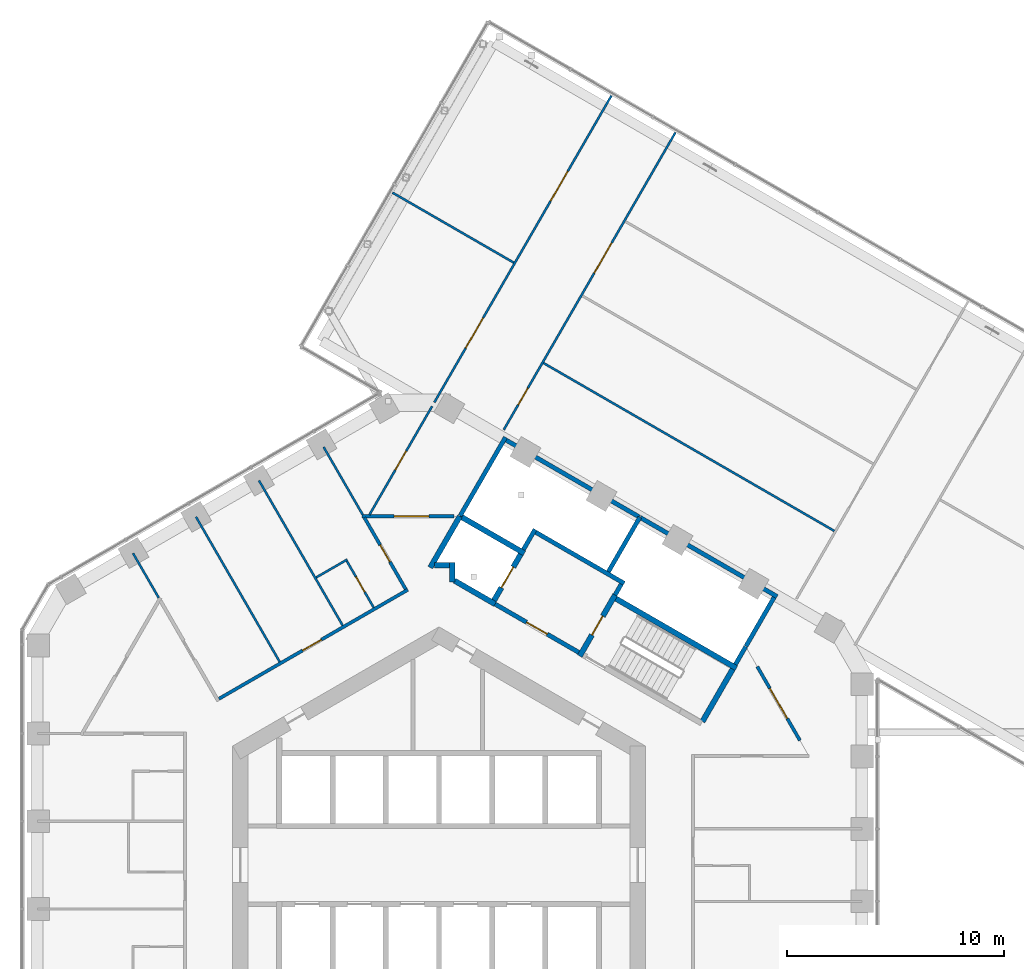
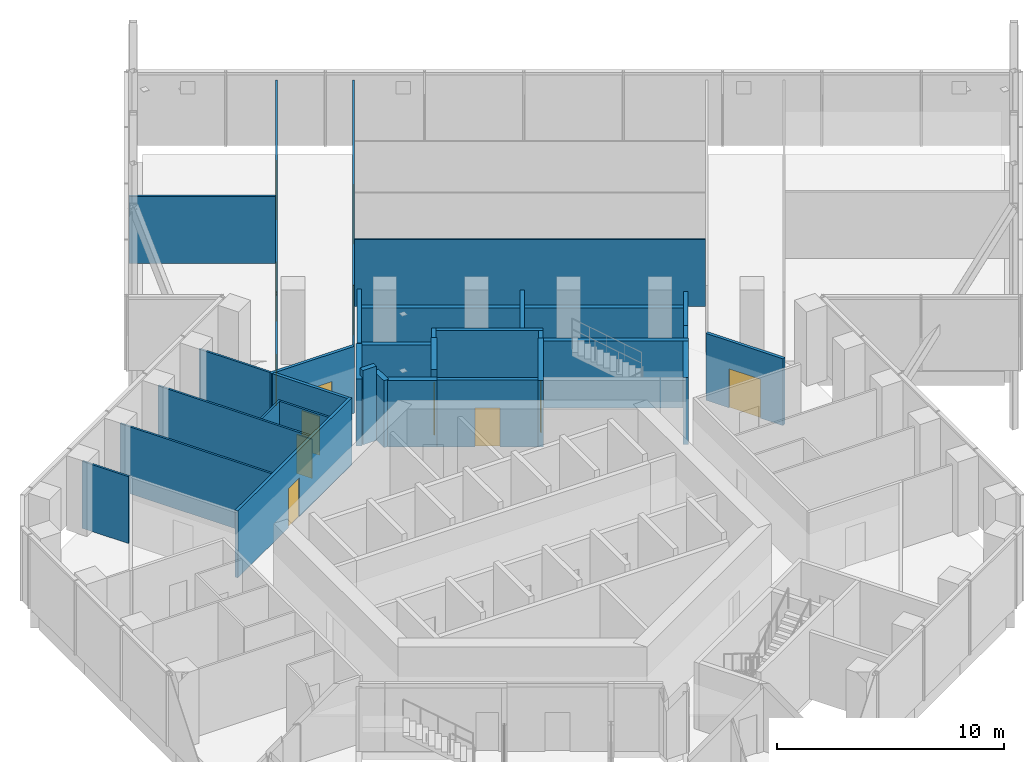
# One storey, part 21 of 25: 34 walls, 13 doors, 13 openings.
"""IFC4 building model written with IfcOpenShell, lengths in metres."""

from ifc_helpers import new_model, si_unit, direction, frame, frame_2d, origin, place, context, subcontext, project, spatial, rectangle, extrude, material, layer, layer_set, type_object, element, fill, save


model = new_model("IFC4")

# Units and contexts
model_context = context("Model", 3, precision=1e-05, world=origin(), true_north=direction((0.0, 1.0)))
body_context = subcontext(model_context, "Body", "Model", "MODEL_VIEW")
ifc_project = project(units=[si_unit("LENGTHUNIT", "METRE"), si_unit("AREAUNIT", "SQUARE_METRE"), si_unit("VOLUMEUNIT", "CUBIC_METRE"), si_unit("PLANEANGLEUNIT", "RADIAN"), si_unit("MASSUNIT", "GRAM", prefix="KILO")], contexts=[model_context])

# Site, building, storey
site_placement = place(None, origin())
site = spatial("IfcSite", under=ifc_project, at=site_placement, CompositionType="ELEMENT")
building_placement = place(site_placement, origin())
building = spatial("IfcBuilding", under=site, at=building_placement, Name="Ayvan Gate Tower", CompositionType="ELEMENT")
storey_placement = place(building_placement, frame((0.0, 0.0, 139.89990234375)))
storey = spatial("IfcBuildingStorey", under=building, at=storey_placement, Name="L37", CompositionType="ELEMENT", Elevation=139.89990234375)

# Wall, opening, door
ifc_material_1 = material(Name="Plasterboard on steel stud", Category="steel")
ifc_layer_1 = layer(ifc_material_1, 0.14990234375)
ifc_layer_set_1 = layer_set([ifc_layer_1], Name="Plasterboard on steel stud")
wall_type_1 = type_object("IfcWallType", Name="WT-CORR-150", PredefinedType="PARTITIONING", material=ifc_layer_set_1)
wall_1_placement = place(storey_placement, frame((-10.135986328125, 7.658203125, 0.0), z_axis=(0.0, 0.0, 1.0), x_axis=(0.866041139319, 0.499972744263, 0.0)))
wall_1 = element("IfcWall", 1, at=wall_1_placement, inside=storey, type_object=wall_type_1, Name="IW-L37-021", PredefinedType="PARTITIONING", context=body_context, shape_type="SweptSolid", body=[
    extrude(rectangle(XDim=10.0478515625, YDim=0.14990234375, at=frame_2d((5.02392578125, 0.0))), origin(), (0.0, 0.0, 1.0), 3.60009765625),
])
opening_1_placement = place(wall_1_placement, frame((4.448974609375, 0.0, 0.0)))
opening_1 = element("IfcOpeningElement", 2, at=opening_1_placement, cuts=wall_1, Name="Opening L37-D34", PredefinedType="OPENING", context=body_context, shape_type="SweptSolid", body=[
    extrude(rectangle(XDim=1.0, YDim=2.10009765625, at=frame_2d((0.5, 1.050048828125))), frame((0.0, 0.0849609375, 0.0), z_axis=(0.0, -1.0, 0.0), x_axis=(1.0, 0.0, 0.0)), (0.0, 0.0, 1.0), 0.169921875),
])
ifc_material_2 = material(Name="Timber door leaf", Category="wood")
door_type_1 = type_object("IfcDoorType", Name="DT-1000", OperationType="NOTDEFINED", PredefinedType="DOOR", material=ifc_material_2)
door_1_placement = place(opening_1_placement, origin())
door_1 = element("IfcDoor", 3, at=door_1_placement, inside=storey, type_object=door_type_1, Name="ID-L37-034", OperationType="SINGLE_SWING_LEFT", OverallHeight=2.10009765625, OverallWidth=1.0, PredefinedType="DOOR", context=body_context, shape_type="SweptSolid", body=[
    extrude(rectangle(XDim=1.0, YDim=2.10009765625, at=frame_2d((0.5, 1.050048828125))), frame((0.0, 0.02490234375, 0.0), z_axis=(0.0, -1.0, 0.0), x_axis=(1.0, 0.0, 0.0)), (0.0, 0.0, 1.0), 0.050048828125),
])
fill(opening_1, door_1)

wall_2_placement = place(storey_placement, frame((-3.548095703125, 16.0634765625, 0.0), z_axis=(0.0, 0.0, 1.0), x_axis=(1.0, 0.0, 0.0)))
wall_2 = element("IfcWall", 4, at=wall_2_placement, inside=storey, type_object=wall_type_1, Name="IW-L37-043", PredefinedType="PARTITIONING", context=body_context, shape_type="SweptSolid", body=[
    extrude(rectangle(XDim=4.229736328125, YDim=0.14990234375, at=frame_2d((2.11474609375, 0.0))), origin(), (0.0, 0.0, 1.0), 3.60009765625),
])
opening_2_placement = place(wall_2_placement, frame((1.484130859375, 0.0, 0.0)))
opening_2 = element("IfcOpeningElement", 5, at=opening_2_placement, cuts=wall_2, Name="Opening L37-D37", PredefinedType="OPENING", context=body_context, shape_type="SweptSolid", body=[
    extrude(rectangle(XDim=1.60009765625, YDim=2.10009765625, at=frame_2d((0.800048828125, 1.050048828125))), frame((0.0, 0.0849609375, 0.0), z_axis=(0.0, -1.0, 0.0), x_axis=(1.0, 0.0, 0.0)), (0.0, 0.0, 1.0), 0.169921875),
])
door_type_2 = type_object("IfcDoorType", Name="DT-1600", OperationType="NOTDEFINED", PredefinedType="DOOR", material=ifc_material_2)
door_2_placement = place(opening_2_placement, origin())
door_2 = element("IfcDoor", 6, at=door_2_placement, inside=storey, type_object=door_type_2, Name="ID-L37-037", OperationType="SINGLE_SWING_RIGHT", OverallHeight=2.10009765625, OverallWidth=1.60009765625, PredefinedType="DOOR", context=body_context, shape_type="SweptSolid", body=[
    extrude(rectangle(XDim=1.60009765625, YDim=2.10009765625, at=frame_2d((0.800048828125, 1.050048828125))), frame((0.0, 0.02490234375, 0.0), z_axis=(0.0, -1.0, 0.0), x_axis=(1.0, 0.0, 0.0)), (0.0, 0.0, 1.0), 0.050048828125),
])
fill(opening_2, door_2)

wall_3_placement = place(storey_placement, frame((-1.53662109375, 12.70947265625, 0.0), z_axis=(0.0, 0.0, 1.0), x_axis=(-0.500045181452, 0.865999316689, 0.0)))
wall_3 = element("IfcWall", 7, at=wall_3_placement, inside=storey, type_object=wall_type_1, Name="IW-L37-051", PredefinedType="PARTITIONING", context=body_context, shape_type="SweptSolid", body=[
    extrude(rectangle(XDim=3.798095703125, YDim=0.14990234375, at=frame_2d((1.89892578125, 0.0))), origin(), (0.0, 0.0, 1.0), 3.60009765625),
])
opening_3_placement = place(wall_3_placement, frame((1.448974609375, 0.0, 0.0)))
opening_3 = element("IfcOpeningElement", 8, at=opening_3_placement, cuts=wall_3, Name="Opening L37-D32", PredefinedType="OPENING", context=body_context, shape_type="SweptSolid", body=[
    extrude(rectangle(XDim=0.89990234375, YDim=2.10009765625, at=frame_2d((0.449951171875, 1.050048828125))), frame((0.0, 0.0849609375, 0.0), z_axis=(0.0, -1.0, 0.0), x_axis=(1.0, 0.0, 0.0)), (0.0, 0.0, 1.0), 0.169921875),
])
door_type_3 = type_object("IfcDoorType", Name="DT-900", OperationType="NOTDEFINED", PredefinedType="DOOR", material=ifc_material_2)
door_3_placement = place(opening_3_placement, origin())
door_3 = element("IfcDoor", 9, at=door_3_placement, inside=storey, type_object=door_type_3, Name="ID-L37-032", OperationType="SINGLE_SWING_LEFT", OverallHeight=2.10009765625, OverallWidth=0.89990234375, PredefinedType="DOOR", context=body_context, shape_type="SweptSolid", body=[
    extrude(rectangle(XDim=0.89990234375, YDim=2.10009765625, at=frame_2d((0.449951171875, 1.050048828125))), frame((0.0, 0.02490234375, 0.0), z_axis=(0.0, -1.0, 0.0), x_axis=(1.0, 0.0, 0.0)), (0.0, 0.0, 1.0), 0.050048828125),
])
fill(opening_3, door_3)

wall_4_placement = place(storey_placement, frame((14.656982421875, 9.14013671875, 0.0), z_axis=(0.0, 0.0, 1.0), x_axis=(0.500011323479, -0.866018866072, 0.0)))
wall_4 = element("IfcWall", 10, at=wall_4_placement, inside=storey, type_object=wall_type_1, Name="IW-L37-116", PredefinedType="PARTITIONING", context=body_context, shape_type="SweptSolid", body=[
    extrude(rectangle(XDim=3.92626953125, YDim=0.14990234375, at=frame_2d((1.963134765625, 0.0))), origin(), (0.0, 0.0, 1.0), 3.60009765625),
])
opening_4_placement = place(wall_4_placement, frame((1.1630859375, 0.0, 0.0)))
opening_4 = element("IfcOpeningElement", 11, at=opening_4_placement, cuts=wall_4, Name="Opening L37-D36", PredefinedType="OPENING", context=body_context, shape_type="SweptSolid", body=[
    extrude(rectangle(XDim=1.60009765625, YDim=2.10009765625, at=frame_2d((0.800048828125, 1.050048828125))), frame((0.0, 0.0849609375, 0.0), z_axis=(0.0, -1.0, 0.0), x_axis=(1.0, 0.0, 0.0)), (0.0, 0.0, 1.0), 0.169921875),
])
door_4_placement = place(opening_4_placement, origin())
door_4 = element("IfcDoor", 12, at=door_4_placement, inside=storey, type_object=door_type_2, Name="ID-L37-036", OperationType="SINGLE_SWING_LEFT", OverallHeight=2.10009765625, OverallWidth=1.60009765625, PredefinedType="DOOR", context=body_context, shape_type="SweptSolid", body=[
    extrude(rectangle(XDim=1.60009765625, YDim=2.10009765625, at=frame_2d((0.800048828125, 1.050048828125))), frame((0.0, 0.02490234375, 0.0), z_axis=(0.0, -1.0, 0.0), x_axis=(1.0, 0.0, 0.0)), (0.0, 0.0, 1.0), 0.050048828125),
])
fill(opening_4, door_4)

# Walls
ifc_layer_2 = layer(ifc_material_1, 0.10009765625)
ifc_layer_set_2 = layer_set([ifc_layer_2], Name="Plasterboard on steel stud")
wall_type_2 = type_object("IfcWallType", Name="WT-PART-100", PredefinedType="PARTITIONING", material=ifc_layer_set_2)
wall_5_placement = place(storey_placement, frame((-14.093505859375, 14.363037109375, 0.0), z_axis=(0.0, 0.0, 1.0), x_axis=(0.500027724201, -0.866009396618, 0.0)))
element("IfcWall", 13, at=wall_5_placement, inside=storey, type_object=wall_type_2, Name="IW-L37-011", PredefinedType="PARTITIONING", context=body_context, shape_type="SweptSolid", body=[
    extrude(rectangle(XDim=2.376708984375, YDim=0.10009765625, at=frame_2d((1.1884765625, 0.0))), origin(), (0.0, 0.0, 1.0), 3.60009765625),
])
for number, where, z_axis, x_axis, name in (
    (14, (-7.337890625, 9.360107421875, 0.0), (0.0, 0.0, 1.0), (-0.499997453958, 0.866026873738, 0.0), "IW-L37-032"),
    (15, (-8.29248046875, 17.71240234375, 0.0), (0.0, 0.0, 1.0), (0.499997453958, -0.866026873738, 0.0), "IW-L37-035"),
):
    element("IfcWall", number, at=place(storey_placement, frame(where, z_axis=z_axis, x_axis=x_axis)), inside=storey, type_object=wall_type_2, Name=name, PredefinedType="PARTITIONING", context=body_context, shape_type="SweptSolid", body=[
        extrude(rectangle(XDim=7.71044921875, YDim=0.10009765625, at=frame_2d((3.855224609375, 0.0))), origin(), (0.0, 0.0, 1.0), 3.60009765625),
    ])
wall_6_placement = place(storey_placement, frame((-5.31689453125, 19.257080078125, 0.0), z_axis=(0.0, 0.0, 1.0), x_axis=(0.500012990229, -0.866017903742, 0.0)))
element("IfcWall", 16, at=wall_6_placement, inside=storey, type_object=wall_type_2, Name="IW-L37-036", PredefinedType="PARTITIONING", context=body_context, shape_type="SweptSolid", body=[
    extrude(rectangle(XDim=3.61279296875, YDim=0.10009765625, at=frame_2d((1.806396484375, 0.0))), origin(), (0.0, 0.0, 1.0), 3.60009765625),
])
wall_7_placement = place(storey_placement, frame((-4.22802734375, 14.071044921875, 0.0), z_axis=(0.0, 0.0, 1.0), x_axis=(-0.866094390846, -0.499880491863, 0.0)))
element("IfcWall", 17, at=wall_7_placement, inside=storey, type_object=wall_type_2, Name="IW-L37-041", PredefinedType="PARTITIONING", context=body_context, shape_type="SweptSolid", body=[
    extrude(rectangle(XDim=1.6494140625, YDim=0.10009765625, at=frame_2d((0.82470703125, 0.0))), origin(), (0.0, 0.0, 1.0), 3.60009765625),
])

# Wall, opening, door
wall_8_placement = place(storey_placement, frame((-3.206787109375, 16.12841796875, 0.0), z_axis=(0.0, 0.0, 1.0), x_axis=(0.499964049572, 0.866046158779, 0.0)))
wall_8 = element("IfcWall", 18, at=wall_8_placement, inside=storey, type_object=wall_type_2, Name="IW-L37-044", PredefinedType="PARTITIONING", context=body_context, shape_type="SweptSolid", body=[
    extrude(rectangle(XDim=5.7734375, YDim=0.10009765625, at=frame_2d((2.88671875, 0.0))), origin(), (0.0, 0.0, 1.0), 3.60009765625),
])
opening_5_placement = place(wall_8_placement, frame((2.38671875, 0.0, 0.0)))
opening_5 = element("IfcOpeningElement", 19, at=opening_5_placement, cuts=wall_8, Name="Opening L37-D38", PredefinedType="OPENING", context=body_context, shape_type="SweptSolid", body=[
    extrude(rectangle(XDim=1.0, YDim=2.10009765625, at=frame_2d((0.5, 1.050048828125))), frame((0.0, 0.06005859375, 0.0), z_axis=(0.0, -1.0, 0.0), x_axis=(1.0, 0.0, 0.0)), (0.0, 0.0, 1.0), 0.1201171875),
])
door_5_placement = place(opening_5_placement, origin())
door_5 = element("IfcDoor", 20, at=door_5_placement, inside=storey, type_object=door_type_1, Name="ID-L37-038", OperationType="SINGLE_SWING_LEFT", OverallHeight=2.10009765625, OverallWidth=1.0, PredefinedType="DOOR", context=body_context, shape_type="SweptSolid", body=[
    extrude(rectangle(XDim=1.0, YDim=2.10009765625, at=frame_2d((0.5, 1.050048828125))), frame((0.0, 0.02490234375, 0.0), z_axis=(0.0, -1.0, 0.0), x_axis=(1.0, 0.0, 0.0)), (0.0, 0.0, 1.0), 0.050048828125),
])
fill(opening_5, door_5)

wall_9_placement = place(storey_placement, frame((-3.0087890625, 11.859375, 0.0), z_axis=(0.0, 0.0, 1.0), x_axis=(-0.500032699561, 0.866006523861, 0.0)))
wall_9 = element("IfcWall", 21, at=wall_9_placement, inside=storey, type_object=wall_type_2, Name="IW-L37-045", PredefinedType="PARTITIONING", context=body_context, shape_type="SweptSolid", body=[
    extrude(rectangle(XDim=2.474853515625, YDim=0.10009765625, at=frame_2d((1.2373046875, 0.0))), origin(), (0.0, 0.0, 1.0), 3.60009765625),
])
opening_6_placement = place(wall_9_placement, frame((0.83740234375, 0.0, 0.0)))
opening_6 = element("IfcOpeningElement", 22, at=opening_6_placement, cuts=wall_9, Name="Opening L37-D33", PredefinedType="OPENING", context=body_context, shape_type="SweptSolid", body=[
    extrude(rectangle(XDim=0.800048828125, YDim=2.10009765625, at=frame_2d((0.39990234375, 1.050048828125))), frame((0.0, 0.06005859375, 0.0), z_axis=(0.0, -1.0, 0.0), x_axis=(1.0, 0.0, 0.0)), (0.0, 0.0, 1.0), 0.1201171875),
])
door_type_4 = type_object("IfcDoorType", Name="DT-800", OperationType="NOTDEFINED", PredefinedType="DOOR", material=ifc_material_2)
door_6_placement = place(opening_6_placement, origin())
door_6 = element("IfcDoor", 23, at=door_6_placement, inside=storey, type_object=door_type_4, Name="ID-L37-033", OperationType="SINGLE_SWING_RIGHT", OverallHeight=2.10009765625, OverallWidth=0.800048828125, PredefinedType="DOOR", context=body_context, shape_type="SweptSolid", body=[
    extrude(rectangle(XDim=0.800048828125, YDim=2.10009765625, at=frame_2d((0.39990234375, 1.050048828125))), frame((0.0, 0.02490234375, 0.0), z_axis=(0.0, -1.0, 0.0), x_axis=(1.0, 0.0, 0.0)), (0.0, 0.0, 1.0), 0.050048828125),
])
fill(opening_6, door_6)

# Wall
wall_10_placement = place(storey_placement, frame((-2.1484375, 30.970947265625, 0.0), z_axis=(0.0, 0.0, 1.0), x_axis=(0.86602559645, -0.499999666294, 0.0)))
element("IfcWall", 24, at=wall_10_placement, inside=storey, type_object=wall_type_2, Name="IW-L37-050", PredefinedType="PARTITIONING", context=body_context, shape_type="SweptSolid", body=[
    extrude(rectangle(XDim=6.45458984375, YDim=0.10009765625, at=frame_2d((3.227294921875, 0.0))), origin(), (0.0, 0.0, 1.0), 3.60009765625),
])

# Wall, openings, doors
wall_11_placement = place(storey_placement, frame((-0.216796875, 21.30712890625, 0.0), z_axis=(0.0, 0.0, 1.0), x_axis=(0.499991872758, 0.866030095999, 0.0)))
wall_11 = element("IfcWall", 25, at=wall_11_placement, inside=storey, type_object=wall_type_2, Name="IW-L37-061", PredefinedType="PARTITIONING", context=body_context, shape_type="SweptSolid", body=[
    extrude(rectangle(XDim=16.315673828125, YDim=0.10009765625, at=frame_2d((8.15771484375, 0.0))), origin(), (0.0, 0.0, 1.0), 3.60009765625),
])
opening_7_placement = place(wall_11_placement, frame((2.88671875, 0.0, 0.0)))
opening_7 = element("IfcOpeningElement", 26, at=opening_7_placement, cuts=wall_11, Name="Opening L37-D45", PredefinedType="OPENING", context=body_context, shape_type="SweptSolid", body=[
    extrude(rectangle(XDim=1.60009765625, YDim=2.10009765625, at=frame_2d((0.800048828125, 1.050048828125))), frame((0.0, 0.06005859375, 0.0), z_axis=(0.0, -1.0, 0.0), x_axis=(1.0, 0.0, 0.0)), (0.0, 0.0, 1.0), 0.1201171875),
])
opening_8_placement = place(wall_11_placement, frame((10.70166015625, 0.0, 0.0)))
opening_8 = element("IfcOpeningElement", 27, at=opening_8_placement, cuts=wall_11, Name="Opening L37-D46", PredefinedType="OPENING", context=body_context, shape_type="SweptSolid", body=[
    extrude(rectangle(XDim=1.60009765625, YDim=2.10009765625, at=frame_2d((0.800048828125, 1.050048828125))), frame((0.0, 0.06005859375, 0.0), z_axis=(0.0, -1.0, 0.0), x_axis=(1.0, 0.0, 0.0)), (0.0, 0.0, 1.0), 0.1201171875),
])
door_7_placement = place(opening_7_placement, origin())
door_7 = element("IfcDoor", 28, at=door_7_placement, inside=storey, type_object=door_type_2, Name="ID-L37-045", OperationType="SINGLE_SWING_RIGHT", OverallHeight=2.10009765625, OverallWidth=1.60009765625, PredefinedType="DOOR", context=body_context, shape_type="SweptSolid", body=[
    extrude(rectangle(XDim=1.60009765625, YDim=2.10009765625, at=frame_2d((0.800048828125, 1.050048828125))), frame((0.0, 0.02490234375, 0.0), z_axis=(0.0, -1.0, 0.0), x_axis=(1.0, 0.0, 0.0)), (0.0, 0.0, 1.0), 0.050048828125),
])
fill(opening_7, door_7)
door_8_placement = place(opening_8_placement, origin())
door_8 = element("IfcDoor", 29, at=door_8_placement, inside=storey, type_object=door_type_2, Name="ID-L37-046", OperationType="SINGLE_SWING_LEFT", OverallHeight=2.10009765625, OverallWidth=1.60009765625, PredefinedType="DOOR", context=body_context, shape_type="SweptSolid", body=[
    extrude(rectangle(XDim=1.60009765625, YDim=2.10009765625, at=frame_2d((0.800048828125, 1.050048828125))), frame((0.0, 0.02490234375, 0.0), z_axis=(0.0, -1.0, 0.0), x_axis=(1.0, 0.0, 0.0)), (0.0, 0.0, 1.0), 0.050048828125),
])
fill(opening_8, door_8)

# Wall
wall_12_placement = place(storey_placement, frame((4.81298828125, 23.119140625, 0.0), z_axis=(0.0, 0.0, 1.0), x_axis=(0.86602732511, -0.499996672152, 0.0)))
element("IfcWall", 30, at=wall_12_placement, inside=storey, type_object=wall_type_2, Name="IW-L37-083", PredefinedType="PARTITIONING", context=body_context, shape_type="SweptSolid", body=[
    extrude(rectangle(XDim=15.46484375, YDim=0.10009765625, at=frame_2d((7.732421875, 0.0))), origin(), (0.0, 0.0, 1.0), 3.60009765625),
])

# Wall, openings, doors
wall_13_placement = place(storey_placement, frame((2.98291015625, 20.04931640625, 0.0), z_axis=(0.0, 0.0, 1.0), x_axis=(0.499998345156, 0.866026359207, 0.0)))
wall_13 = element("IfcWall", 31, at=wall_13_placement, inside=storey, type_object=wall_type_2, Name="IW-L37-084", PredefinedType="PARTITIONING", context=body_context, shape_type="SweptSolid", body=[
    extrude(rectangle(XDim=15.80517578125, YDim=0.10009765625, at=frame_2d((7.902587890625, 0.0))), origin(), (0.0, 0.0, 1.0), 3.60009765625),
])
opening_9_placement = place(wall_13_placement, frame((1.322021484375, 0.0, 0.0)))
opening_9 = element("IfcOpeningElement", 32, at=opening_9_placement, cuts=wall_13, Name="Opening L37-D39", PredefinedType="OPENING", context=body_context, shape_type="SweptSolid", body=[
    extrude(rectangle(XDim=0.89990234375, YDim=2.10009765625, at=frame_2d((0.449951171875, 1.050048828125))), frame((0.0, 0.06005859375, 0.0), z_axis=(0.0, -1.0, 0.0), x_axis=(1.0, 0.0, 0.0)), (0.0, 0.0, 1.0), 0.1201171875),
])
opening_10_placement = place(wall_13_placement, frame((8.325439453125, 0.0, 0.0)))
opening_10 = element("IfcOpeningElement", 33, at=opening_10_placement, cuts=wall_13, Name="Opening L37-D41", PredefinedType="OPENING", context=body_context, shape_type="SweptSolid", body=[
    extrude(rectangle(XDim=1.60009765625, YDim=2.10009765625, at=frame_2d((0.800048828125, 1.050048828125))), frame((0.0, 0.06005859375, 0.0), z_axis=(0.0, -1.0, 0.0), x_axis=(1.0, 0.0, 0.0)), (0.0, 0.0, 1.0), 0.1201171875),
])
door_9_placement = place(opening_10_placement, origin())
door_9 = element("IfcDoor", 34, at=door_9_placement, inside=storey, type_object=door_type_2, Name="ID-L37-041", OperationType="SINGLE_SWING_RIGHT", OverallHeight=2.10009765625, OverallWidth=1.60009765625, PredefinedType="DOOR", context=body_context, shape_type="SweptSolid", body=[
    extrude(rectangle(XDim=1.60009765625, YDim=2.10009765625, at=frame_2d((0.800048828125, 1.050048828125))), frame((0.0, 0.02490234375, 0.0), z_axis=(0.0, -1.0, 0.0), x_axis=(1.0, 0.0, 0.0)), (0.0, 0.0, 1.0), 0.050048828125),
])
fill(opening_10, door_9)
door_10_placement = place(opening_9_placement, origin())
door_10 = element("IfcDoor", 35, at=door_10_placement, inside=storey, type_object=door_type_3, Name="ID-L37-039", OperationType="SINGLE_SWING_RIGHT", OverallHeight=2.10009765625, OverallWidth=0.89990234375, PredefinedType="DOOR", context=body_context, shape_type="SweptSolid", body=[
    extrude(rectangle(XDim=0.89990234375, YDim=2.10009765625, at=frame_2d((0.449951171875, 1.050048828125))), frame((0.0, 0.02490234375, 0.0), z_axis=(0.0, -1.0, 0.0), x_axis=(1.0, 0.0, 0.0)), (0.0, 0.0, 1.0), 0.050048828125),
])
fill(opening_9, door_10)

# Walls
ifc_layer_3 = layer(ifc_material_1, 0.199951171875)
ifc_layer_set_3 = layer_set([ifc_layer_3], Name="Plasterboard on steel stud")
wall_type_3 = type_object("IfcWallType", Name="WT-PLUMB-200", PredefinedType="PLUMBINGWALL", material=ifc_layer_set_3)
wall_14_placement = place(storey_placement, frame((0.974609375, 16.088134765625, 0.0), z_axis=(0.0, 0.0, 1.0), x_axis=(0.500032984372, 0.866006359411, 0.0)))
element("IfcWall", 36, at=wall_14_placement, inside=storey, type_object=wall_type_3, Name="IW-L37-068", PredefinedType="PLUMBINGWALL", context=body_context, shape_type="SweptSolid", body=[
    extrude(rectangle(XDim=4.174072265625, YDim=0.199951171875, at=frame_2d((2.0869140625, 0.0))), origin(), (0.0, 0.0, 1.0), 3.60009765625),
])
wall_15_placement = place(storey_placement, frame((3.098388671875, 19.56640625, 0.0), z_axis=(0.0, 0.0, 1.0), x_axis=(0.866019052629, -0.500011000363, 0.0)))
element("IfcWall", 37, at=wall_15_placement, inside=storey, type_object=wall_type_3, Name="IW-L37-078", PredefinedType="PLUMBINGWALL", context=body_context, shape_type="SweptSolid", body=[
    extrude(rectangle(XDim=7.079833984375, YDim=0.199951171875, at=frame_2d((3.5400390625, 0.0))), origin(), (0.0, 0.0, 1.0), 2.72509765625),
])
wall_16_placement = place(storey_placement, frame((3.885009765625, 14.52880859375, 0.0), z_axis=(0.0, 0.0, 1.0), x_axis=(0.499997628298, 0.866026773083, 0.0)))
element("IfcWall", 38, at=wall_16_placement, inside=storey, type_object=wall_type_3, Name="IW-L37-081", PredefinedType="PLUMBINGWALL", context=body_context, shape_type="SweptSolid", body=[
    extrude(rectangle(XDim=1.0751953125, YDim=0.199951171875, at=frame_2d((0.53759765625, 0.0))), origin(), (0.0, 0.0, 1.0), 3.60009765625),
])
wall_17_placement = place(storey_placement, frame((4.458984375, 15.323486328125, 0.0), z_axis=(0.0, 0.0, 1.0), x_axis=(0.866016039709, -0.500016218704, 0.0)))
element("IfcWall", 39, at=wall_17_placement, inside=storey, type_object=wall_type_3, Name="IW-L37-082", PredefinedType="PLUMBINGWALL", context=body_context, shape_type="SweptSolid", body=[
    extrude(rectangle(XDim=4.699951171875, YDim=0.199951171875, at=frame_2d((2.35009765625, 0.0))), origin(), (0.0, 0.0, 1.0), 3.60009765625),
])
wall_18_placement = place(storey_placement, frame((7.800048828125, 13.510009765625, 0.0), z_axis=(0.0, 0.0, 1.0), x_axis=(0.499995073634, 0.866028248005, 0.0)))
element("IfcWall", 40, at=wall_18_placement, inside=storey, type_object=wall_type_3, Name="IW-L37-097", PredefinedType="PLUMBINGWALL", context=body_context, shape_type="SweptSolid", body=[
    extrude(rectangle(XDim=2.89404296875, YDim=0.199951171875, at=frame_2d((1.447021484375, 0.0))), origin(), (0.0, 0.0, 1.0), 3.60009765625),
])
wall_19_placement = place(storey_placement, frame((8.392822265625, 12.936767578125, 0.0), z_axis=(0.0, 0.0, 1.0), x_axis=(-0.500065409566, -0.86598763626, 0.0)))
element("IfcWall", 41, at=wall_19_placement, inside=storey, type_object=wall_type_3, Name="IW-L37-099", PredefinedType="PLUMBINGWALL", context=body_context, shape_type="SweptSolid", body=[
    extrude(rectangle(XDim=0.5751953125, YDim=0.199951171875, at=frame_2d((0.28759765625, 0.0))), origin(), (0.0, 0.0, 1.0), 3.60009765625),
])
wall_20_placement = place(storey_placement, frame((9.264404296875, 16.00634765625, 0.0), z_axis=(0.0, 0.0, 1.0), x_axis=(0.866032567898, -0.499987591186, 0.0)))
element("IfcWall", 42, at=wall_20_placement, inside=storey, type_object=wall_type_3, Name="IW-L37-102", PredefinedType="PLUMBINGWALL", context=body_context, shape_type="SweptSolid", body=[
    extrude(rectangle(XDim=7.280029296875, YDim=0.199951171875, at=frame_2d((3.64013671875, 0.0))), origin(), (0.0, 0.0, 1.0), 2.72509765625),
])
wall_21_placement = place(storey_placement, frame((14.1240234375, 10.063720703125, 0.0), z_axis=(0.0, 0.0, 1.0), x_axis=(-0.4998334002, -0.86612156886, 0.0)))
element("IfcWall", 43, at=wall_21_placement, inside=storey, type_object=wall_type_3, Name="IW-L37-113", PredefinedType="PLUMBINGWALL", context=body_context, shape_type="SweptSolid", body=[
    extrude(rectangle(XDim=0.952392578125, YDim=0.199951171875, at=frame_2d((0.47607421875, 0.0))), origin(), (0.0, 0.0, 1.0), 3.60009765625),
])
wall_22_placement = place(storey_placement, frame((15.432373046875, 12.329833984375, 0.0), z_axis=(0.0, 0.0, 1.0), x_axis=(-0.499961171201, -0.866047820441, 0.0)))
element("IfcWall", 44, at=wall_22_placement, inside=storey, type_object=wall_type_3, Name="IW-L37-117", PredefinedType="PLUMBINGWALL", context=body_context, shape_type="SweptSolid", body=[
    extrude(rectangle(XDim=2.596923828125, YDim=0.199951171875, at=frame_2d((1.29833984375, 0.0))), origin(), (0.0, 0.0, 1.0), 3.60009765625),
])

# Wall, opening, door
ifc_layer_4 = layer(ifc_material_1, 0.199951171875)
ifc_layer_set_4 = layer_set([ifc_layer_4], Name="Plasterboard on steel stud")
wall_type_4 = type_object("IfcWallType", Name="WT-RATED-200", PredefinedType="PARTITIONING", material=ifc_layer_set_4)
wall_23_placement = place(storey_placement, frame((6.4345703125, 9.794921875, 0.0), z_axis=(0.0, 0.0, 1.0), x_axis=(-0.866012907634, 0.500021643343, 0.0)))
wall_23 = element("IfcWall", 45, at=wall_23_placement, inside=storey, type_object=wall_type_4, Name="IW-L37-087", PredefinedType="PARTITIONING", context=body_context, shape_type="SweptSolid", body=[
    extrude(rectangle(XDim=4.449951171875, YDim=0.199951171875, at=frame_2d((2.22509765625, 0.0))), origin(), (0.0, 0.0, 1.0), 3.60009765625),
])
opening_11_placement = place(wall_23_placement, frame((1.675048828125, 0.0, 0.0)))
opening_11 = element("IfcOpeningElement", 46, at=opening_11_placement, cuts=wall_23, Name="Opening L37-D08", PredefinedType="OPENING", context=body_context, shape_type="SweptSolid", body=[
    extrude(rectangle(XDim=1.10009765625, YDim=2.10009765625, at=frame_2d((0.550048828125, 1.050048828125))), frame((0.0, 0.10986328125, 0.0), z_axis=(0.0, -1.0, 0.0), x_axis=(1.0, 0.0, 0.0)), (0.0, 0.0, 1.0), 0.219970703125),
])
door_type_5 = type_object("IfcDoorType", Name="DT-1100", OperationType="NOTDEFINED", PredefinedType="DOOR", material=ifc_material_2)
door_11_placement = place(opening_11_placement, origin())
door_11 = element("IfcDoor", 47, at=door_11_placement, inside=storey, type_object=door_type_5, Name="ID-L37-008", OperationType="SINGLE_SWING_LEFT", OverallHeight=2.10009765625, OverallWidth=1.10009765625, PredefinedType="DOOR", context=body_context, shape_type="SweptSolid", body=[
    extrude(rectangle(XDim=1.10009765625, YDim=2.10009765625, at=frame_2d((0.550048828125, 1.050048828125))), frame((0.0, 0.02490234375, 0.0), z_axis=(0.0, -1.0, 0.0), x_axis=(1.0, 0.0, 0.0)), (0.0, 0.0, 1.0), 0.050048828125),
])
fill(opening_11, door_11)

# Walls
ifc_material_3 = material(Name="Concrete C50/60", Category="concrete")
ifc_layer_5 = layer(ifc_material_3, 0.25)
ifc_layer_set_5 = layer_set([ifc_layer_5], Name="Concrete C50/60")
wall_type_5 = type_object("IfcWallType", Name="WT-RC-250", PredefinedType="SHEAR", material=ifc_layer_set_5)
wall_24_placement = place(storey_placement, frame((-0.403076171875, 13.70166015625, 0.0), z_axis=(0.0, 0.0, 1.0), x_axis=(0.499942002849, 0.866058885866, 0.0)))
element("IfcWall", 48, at=wall_24_placement, inside=storey, type_object=wall_type_5, Name="IW-L37-060", PredefinedType="SHEAR", context=body_context, shape_type="SweptSolid", body=[
    extrude(rectangle(XDim=2.727294921875, YDim=0.25, at=frame_2d((1.36376953125, 0.0))), origin(), (0.0, 0.0, 1.0), 3.60009765625),
])
wall_25_placement = place(storey_placement, frame((0.60009765625, 13.03857421875, 0.0), z_axis=(0.0, 0.0, 1.0), x_axis=(0.0, 1.0, 0.0)))
element("IfcWall", 49, at=wall_25_placement, inside=storey, type_object=wall_type_5, Name="IW-L37-065", PredefinedType="SHEAR", context=body_context, shape_type="SweptSolid", body=[
    extrude(rectangle(XDim=0.896484375, YDim=0.25, at=frame_2d((0.4482421875, 0.0))), origin(), (0.0, 0.0, 1.0), 3.60009765625),
])
wall_26_placement = place(storey_placement, frame((0.47509765625, 13.81005859375, 0.0), z_axis=(0.0, 0.0, 1.0), x_axis=(-1.0, 0.0, 0.0)))
element("IfcWall", 50, at=wall_26_placement, inside=storey, type_object=wall_type_5, Name="IW-L37-066", PredefinedType="SHEAR", context=body_context, shape_type="SweptSolid", body=[
    extrude(rectangle(XDim=0.690673828125, YDim=0.25, at=frame_2d((0.34521484375, 0.0))), origin(), (0.0, 0.0, 1.0), 4.0),
])
wall_27_placement = place(storey_placement, frame((0.964599609375, 16.07080078125, 0.0), z_axis=(0.0, 0.0, 1.0), x_axis=(0.866050272892, -0.499956922968, 0.0)))
element("IfcWall", 51, at=wall_27_placement, inside=storey, type_object=wall_type_5, Name="IW-L37-067", PredefinedType="SHEAR", context=body_context, shape_type="SweptSolid", body=[
    extrude(rectangle(XDim=3.425048828125, YDim=0.25, at=frame_2d((1.71240234375, 0.0))), origin(), (0.0, 0.0, 1.0), 3.60009765625),
])
wall_28_placement = place(storey_placement, frame((2.580810546875, 12.02001953125, 0.0), z_axis=(0.0, 0.0, 1.0), x_axis=(-0.86603892542, 0.499976579108, 0.0)))
element("IfcWall", 52, at=wall_28_placement, inside=storey, type_object=wall_type_5, Name="IW-L37-076", PredefinedType="SHEAR", context=body_context, shape_type="SweptSolid", body=[
    extrude(rectangle(XDim=2.162109375, YDim=0.25, at=frame_2d((1.0810546875, 0.0))), origin(), (0.0, 0.0, 1.0), 3.60009765625),
])

# Wall, opening, door
wall_29_placement = place(storey_placement, frame((2.534912109375, 12.19091796875, 0.0), z_axis=(0.0, 0.0, 1.0), x_axis=(0.500061746146, 0.865989751695, 0.0)))
wall_29 = element("IfcWall", 53, at=wall_29_placement, inside=storey, type_object=wall_type_5, Name="IW-L37-077", PredefinedType="SHEAR", context=body_context, shape_type="SweptSolid", body=[
    extrude(rectangle(XDim=2.449951171875, YDim=0.25, at=frame_2d((1.22509765625, 0.0))), origin(), (0.0, 0.0, 1.0), 4.0),
])
opening_12_placement = place(wall_29_placement, frame((0.675048828125, 0.0, 0.0)))
opening_12 = element("IfcOpeningElement", 54, at=opening_12_placement, cuts=wall_29, Name="Opening L37-LD-FF1", PredefinedType="OPENING", context=body_context, shape_type="SweptSolid", body=[
    extrude(rectangle(XDim=1.10009765625, YDim=2.10009765625, at=frame_2d((0.550048828125, 1.050048828125))), frame((0.0, 0.135009765625, 0.0), z_axis=(0.0, -1.0, 0.0), x_axis=(1.0, 0.0, 0.0)), (0.0, 0.0, 1.0), 0.27001953125),
])
ifc_material_4 = material(Name="Stainless steel landing door", Category="steel")
door_type_6 = type_object("IfcDoorType", Name="DT-LANDING-1100", OperationType="SLIDING_TO_LEFT", PredefinedType="DOOR", material=ifc_material_4)
door_12_placement = place(opening_12_placement, origin())
door_12 = element("IfcDoor", 55, at=door_12_placement, inside=storey, type_object=door_type_6, Name="ID-L37-009", OperationType="SLIDING_TO_LEFT", OverallHeight=2.10009765625, OverallWidth=1.10009765625, PredefinedType="DOOR", context=body_context, shape_type="SweptSolid", body=[
    extrude(rectangle(XDim=1.10009765625, YDim=2.10009765625, at=frame_2d((0.550048828125, 1.050048828125))), frame((0.0, 0.02490234375, 0.0), z_axis=(0.0, -1.0, 0.0), x_axis=(1.0, 0.0, 0.0)), (0.0, 0.0, 1.0), 0.050048828125),
])
fill(opening_12, door_12)

wall_30_placement = place(storey_placement, frame((6.480224609375, 9.624267578125, 0.0), z_axis=(0.0, 0.0, 1.0), x_axis=(0.500017246033, 0.866015446554, 0.0)))
wall_30 = element("IfcWall", 56, at=wall_30_placement, inside=storey, type_object=wall_type_5, Name="IW-L37-088", PredefinedType="SHEAR", context=body_context, shape_type="SweptSolid", body=[
    extrude(rectangle(XDim=3.25, YDim=0.25, at=frame_2d((1.625, 0.0))), origin(), (0.0, 0.0, 1.0), 3.60009765625),
])
opening_13_placement = place(wall_30_placement, frame((1.125, 0.0, 0.0)))
opening_13 = element("IfcOpeningElement", 57, at=opening_13_placement, cuts=wall_30, Name="Opening L37-D07", PredefinedType="OPENING", context=body_context, shape_type="SweptSolid", body=[
    extrude(rectangle(XDim=1.0, YDim=2.10009765625, at=frame_2d((0.5, 1.050048828125))), frame((0.0, 0.135009765625, 0.0), z_axis=(0.0, -1.0, 0.0), x_axis=(1.0, 0.0, 0.0)), (0.0, 0.0, 1.0), 0.27001953125),
])
door_13_placement = place(opening_13_placement, origin())
door_13 = element("IfcDoor", 58, at=door_13_placement, inside=storey, type_object=door_type_1, Name="ID-L37-007", OperationType="SINGLE_SWING_RIGHT", OverallHeight=2.10009765625, OverallWidth=1.0, PredefinedType="DOOR", context=body_context, shape_type="SweptSolid", body=[
    extrude(rectangle(XDim=1.0, YDim=2.10009765625, at=frame_2d((0.5, 1.050048828125))), frame((0.0, 0.02490234375, 0.0), z_axis=(0.0, -1.0, 0.0), x_axis=(1.0, 0.0, 0.0)), (0.0, 0.0, 1.0), 0.050048828125),
])
fill(opening_13, door_13)

# Walls
wall_31_placement = place(storey_placement, frame((8.151123046875, 12.26806640625, 0.0), z_axis=(0.0, 0.0, 1.0), x_axis=(0.866025499775, -0.499999833739, 0.0)))
element("IfcWall", 59, at=wall_31_placement, inside=storey, type_object=wall_type_5, Name="IW-L37-098", PredefinedType="SHEAR", context=body_context, shape_type="SweptSolid", body=[
    extrude(rectangle(XDim=6.39990234375, YDim=0.25, at=frame_2d((3.199951171875, 0.0))), origin(), (0.0, 0.0, 1.0), 3.60009765625),
])
wall_32_placement = place(storey_placement, frame((13.52294921875, 9.022216796875, 0.0), z_axis=(0.0, 0.0, 1.0), x_axis=(-0.500013277472, -0.866017737897, 0.0)))
element("IfcWall", 60, at=wall_32_placement, inside=storey, type_object=wall_type_5, Name="IW-L37-112", PredefinedType="SHEAR", context=body_context, shape_type="SweptSolid", body=[
    extrude(rectangle(XDim=2.78564453125, YDim=0.25, at=frame_2d((1.392822265625, 0.0))), origin(), (0.0, 0.0, 1.0), 3.60009765625),
])

save(model, "model.ifc")
